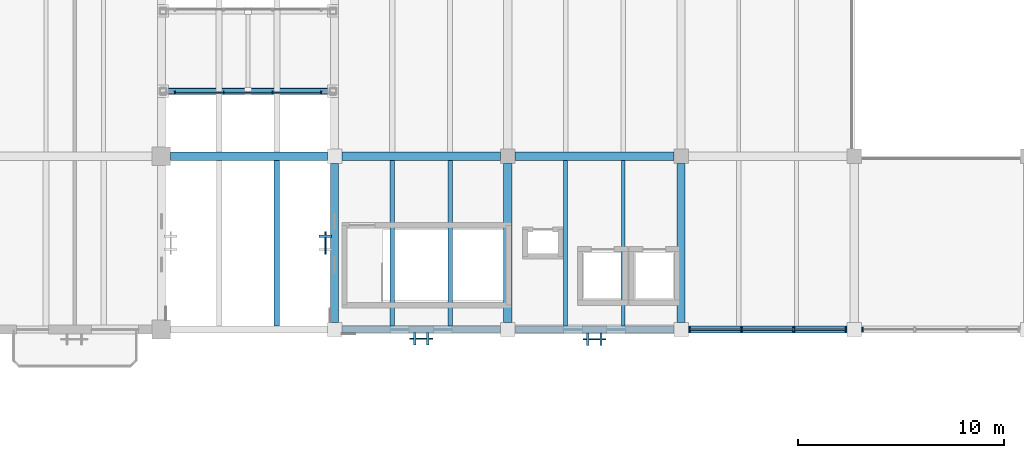
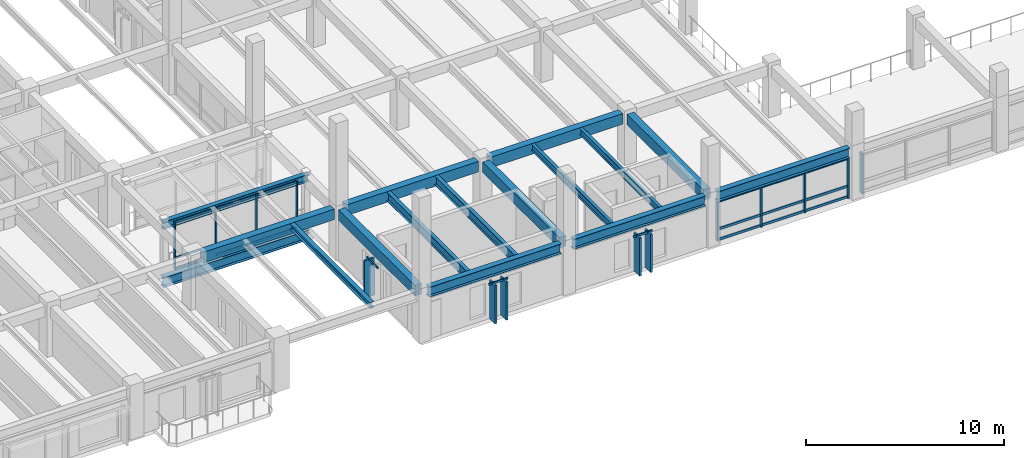
# One storey, part 21 of 123: 35 members, 16 beams, 6 elements without a shape of their own.
"""IFC4 building model written with IfcOpenShell, lengths in metres."""

import ifcopenshell
import ifcopenshell.guid

model = None  # the IFC model being written
_history = None  # IfcOwnerHistory: only IFC2X3 demands one
_inside = {}  # id of a spatial element -> (the spatial element, [elements in it])
_under = {}  # id of a project, library or spatial element -> (it, [spatial elements below it])
_declared = {}  # id of a project -> (the project, [libraries it declares])
_typed = {}  # id of a type object -> (the type object, [elements of that type])
_made_of = {}  # id of a material, layer set ... -> (it, [elements and type objects made of it])


def new_model(schema):
    """Start an empty IFC model of exactly this schema.

    Asked for "IFC4X3", IfcOpenShell would pick the latest addendum, in which some entities
    have other attributes; the version numbers below select the first issue.
    IFC2X3 requires an IfcOwnerHistory on every rooted entity: one is made here for all.
    """
    global model, _history
    if schema == "IFC4X3":
        model = ifcopenshell.file(schema_version=(4, 3, 0, 0))
    else:
        model = ifcopenshell.file(schema=schema)
    _inside.clear()
    _under.clear()
    _declared.clear()
    _typed.clear()
    _made_of.clear()
    _history = None
    if model.schema == "IFC2X3":
        org = make("IfcOrganization", Name="unknown")
        user = make(
            "IfcPersonAndOrganization",
            ThePerson=make("IfcPerson", FamilyName="unknown"),
            TheOrganization=org,
        )
        app = make(
            "IfcApplication",
            ApplicationDeveloper=org,
            Version="unknown",
            ApplicationFullName="unknown",
            ApplicationIdentifier="unknown",
        )
        _history = make(
            "IfcOwnerHistory",
            OwningUser=user,
            OwningApplication=app,
            ChangeAction="ADDED",
            CreationDate=0,
        )
    return model


def make(cls, **values):
    """One entity of the class cls with the attributes given. An attribute that is None is left unset."""
    return model.create_entity(
        cls, **{name: value for name, value in values.items() if value is not None}
    )


def rooted(cls, **values):
    """An entity with a GlobalId (a new one), such as an element, a storey or a relation."""
    return make(cls, GlobalId=ifcopenshell.guid.new(), OwnerHistory=_history, **values)


def si_unit(unit_type, name, prefix=None):
    """IfcSIUnit, for example si_unit("LENGTHUNIT", "METRE", prefix="MILLI")."""
    return make("IfcSIUnit", UnitType=unit_type, Prefix=prefix, Name=name)


def assignment(units):
    """IfcUnitAssignment: the units of a project."""
    return None if units is None else make("IfcUnitAssignment", Units=units)


def point(xyz):
    """IfcCartesianPoint."""
    return None if xyz is None else make("IfcCartesianPoint", Coordinates=xyz)


def direction(xyz):
    """IfcDirection."""
    return None if xyz is None else make("IfcDirection", DirectionRatios=xyz)


def frame(location, z_axis=None, x_axis=None):
    """IfcAxis2Placement3D, a coordinate frame: its origin and axes. An axis left out is left unset."""
    return make(
        "IfcAxis2Placement3D",
        Location=point(location),
        Axis=direction(z_axis),
        RefDirection=direction(x_axis),
    )


def frame_2d(location, x_axis=None):
    """IfcAxis2Placement2D, a coordinate frame in the plane: its origin and x axis."""
    return make(
        "IfcAxis2Placement2D", Location=point(location), RefDirection=direction(x_axis)
    )


def origin():
    """The frame at (0, 0, 0) with its axes left unset."""
    return frame((0.0, 0.0, 0.0))


def origin_2d():
    """The frame at (0, 0) in the plane with its x axis left unset."""
    return frame_2d((0.0, 0.0))


def place(relative_to, where):
    """IfcLocalPlacement: puts the frame where relative to a parent placement (None: the world)."""
    return make(
        "IfcLocalPlacement", PlacementRelTo=relative_to, RelativePlacement=where
    )


def context(
    kind, dimensions, precision=None, world=None, true_north=None, identifier=None
):
    """IfcGeometricRepresentationContext, for example the 3D "Model" context."""
    return make(
        "IfcGeometricRepresentationContext",
        ContextIdentifier=identifier,
        ContextType=kind,
        CoordinateSpaceDimension=dimensions,
        Precision=precision,
        WorldCoordinateSystem=world,
        TrueNorth=true_north,
    )


def subcontext(parent, identifier, kind, view, scale=None):
    """IfcGeometricRepresentationSubContext, for example "Body" below "Model"."""
    return make(
        "IfcGeometricRepresentationSubContext",
        ContextIdentifier=identifier,
        ContextType=kind,
        ParentContext=parent,
        TargetScale=scale,
        TargetView=view,
    )


def project(units=None, contexts=None):
    """IfcProject with its units and contexts."""
    return rooted(
        "IfcProject",
        Name="project",
        RepresentationContexts=contexts,
        UnitsInContext=assignment(units),
    )


def spatial(cls, under=None, at=None, **own):
    """A site, building, storey or space (cls), placed at a placement, below another one or the project."""
    s = rooted(cls, ObjectPlacement=at, **own)
    if under is not None:
        _under.setdefault(under.id(), (under, []))[1].append(s)
    return s


def profile(cls, at=None, kind="AREA", **sizes):
    """A parametric profile (cls). Its sizes go by their IFC names, for example OverallWidth=200.0."""
    return make(cls, ProfileType=kind, Position=at, **sizes)


def rectangle(**sizes):
    """IfcRectangleProfileDef."""
    return profile("IfcRectangleProfileDef", **sizes)


def i_section(**sizes):
    """IfcIShapeProfileDef."""
    return profile("IfcIShapeProfileDef", **sizes)


def extrude(swept, where, along, depth):
    """IfcExtrudedAreaSolid: the profile swept, set in the frame where, extruded along a direction by depth."""
    return make(
        "IfcExtrudedAreaSolid",
        SweptArea=swept,
        Position=where,
        ExtrudedDirection=direction(along),
        Depth=depth,
    )


def shape(context_of_items, identifier, shape_type, items):
    """IfcShapeRepresentation: the items that make up one representation, for example the "Body"."""
    return make(
        "IfcShapeRepresentation",
        ContextOfItems=context_of_items,
        RepresentationIdentifier=identifier,
        RepresentationType=shape_type,
        Items=items,
    )


def material(Name=None, Category=None):
    """IfcMaterial."""
    return make("IfcMaterial", Name=Name, Category=Category)


def material_profile(
    of_material, cross_section, Name=None, Category=None, Priority=None
):
    """IfcMaterialProfile: a cross section and its material."""
    return make(
        "IfcMaterialProfile",
        Name=Name,
        Material=of_material,
        Profile=cross_section,
        Priority=Priority,
        Category=Category,
    )


def profile_set(profiles, Name=None, composite=None):
    """IfcMaterialProfileSet."""
    return make(
        "IfcMaterialProfileSet",
        Name=Name,
        MaterialProfiles=profiles,
        CompositeProfile=composite,
    )


def made_of(thing, what):
    """Note that an element or type object is made of a material, layer set ...; save() writes the relation."""
    if what is not None:
        _made_of.setdefault(what.id(), (what, []))[1].append(thing)
    return thing


def type_object(cls, material=None, **own):
    """A type object (cls), such as IfcWallType, which elements share."""
    return made_of(rooted(cls, **own), material)


def element(
    cls,
    number,
    at=None,
    inside=None,
    cuts=None,
    type_object=None,
    material=None,
    context=None,
    identifier="Body",
    shape_type=None,
    held_by="IfcProductDefinitionShape",
    body=None,
    shapes=None,
    **own,
):
    """One element of the class cls, such as IfcWall. Its Tag is "e" and its number.

    at: its placement. inside: the storey or other place that contains it. cuts: it is an
    opening in that element (IfcRelVoidsElement). A single representation is given by context,
    identifier, shape_type and body (its items); several are given by shapes. held_by: the class
    of the entity that holds the representations. save() writes the other relations.
    """
    e = rooted(cls, Tag="e%d" % number, ObjectPlacement=at, **own)
    if body is not None:
        shapes = [shape(context, identifier, shape_type, body)]
    if shapes is not None:
        e.Representation = make(held_by, Representations=shapes)
    if inside is not None:
        _inside.setdefault(inside.id(), (inside, []))[1].append(e)
    if cuts is not None:
        rooted(
            "IfcRelVoidsElement", RelatingBuildingElement=cuts, RelatedOpeningElement=e
        )
    if type_object is not None:
        _typed.setdefault(type_object.id(), (type_object, []))[1].append(e)
    return made_of(e, material)


def aggregate(whole, parts):
    """IfcRelAggregates: a whole, such as a stair, and the parts it consists of."""
    return rooted("IfcRelAggregates", RelatingObject=whole, RelatedObjects=parts)


def save(model, path):
    """Write the relations noted so far, then the file.

    IfcRelAggregates (storeys below a building ...), IfcRelContainedInSpatialStructure (elements
    in a storey), IfcRelDefinesByType, IfcRelAssociatesMaterial and IfcRelDeclares: one each for
    every whole, place, type object, material and project.
    """
    for whole, parts in _under.values():
        aggregate(whole, parts)
    for where, things in _inside.values():
        rooted(
            "IfcRelContainedInSpatialStructure",
            RelatedElements=things,
            RelatingStructure=where,
        )
    for kind, things in _typed.values():
        rooted("IfcRelDefinesByType", RelatedObjects=things, RelatingType=kind)
    for what, things in _made_of.values():
        rooted("IfcRelAssociatesMaterial", RelatedObjects=things, RelatingMaterial=what)
    for by, libraries in _declared.values():
        rooted("IfcRelDeclares", RelatingContext=by, RelatedDefinitions=libraries)
    model.write(path)


model = new_model("IFC4")

# Units and contexts
model_context = context("Model", 3, precision=1e-05, world=origin(), true_north=direction((0.0, 1.0)))
body_context = subcontext(model_context, "Body", "Model", "MODEL_VIEW")
ifc_project = project(units=[si_unit("LENGTHUNIT", "METRE"), si_unit("AREAUNIT", "SQUARE_METRE"), si_unit("VOLUMEUNIT", "CUBIC_METRE"), si_unit("PLANEANGLEUNIT", "RADIAN"), si_unit("MASSUNIT", "GRAM", prefix="KILO")], contexts=[model_context])

# Site, building, storey
site_placement = place(None, origin())
site = spatial("IfcSite", under=ifc_project, at=site_placement, CompositionType="ELEMENT")
building_placement = place(site_placement, origin())
building = spatial("IfcBuilding", under=site, at=building_placement, Name="Cumbredor Promenade Congress Hotel", CompositionType="ELEMENT")
storey_placement = place(building_placement, frame((0.0, 0.0, 11.760009765625)))
storey = spatial("IfcBuildingStorey", under=building, at=storey_placement, Name="L03", CompositionType="ELEMENT", Elevation=11.760009765625)

# Beams
ifc_material_1 = material(Name="Concrete C40/50", Category="concrete")
ifc_material_profile_1 = material_profile(ifc_material_1, rectangle(XDim=0.39990234375, YDim=0.64990234375, at=origin_2d()), Name="RC BEAM 400x650")
ifc_profile_set_1 = profile_set([ifc_material_profile_1], Name="Concrete C40/50")
beam_type_1 = type_object("IfcBeamType", Name="BM-RC-400x650", PredefinedType="BEAM", material=ifc_profile_set_1)
beam_1_placement = place(storey_placement, frame((84.449951171875, 92.39990234375, 2.794921875), z_axis=(1.0, 0.0, 0.0), x_axis=(0.0, 1.0, 0.0)))
element("IfcBeam", 1, at=beam_1_placement, inside=storey, type_object=beam_type_1, Name="L04 X-Grid Beam 152", PredefinedType="BEAM", context=body_context, shape_type="SweptSolid", body=[
    extrude(rectangle(XDim=0.39990234375, YDim=0.64990234375, at=origin_2d()), origin(), (0.0, 0.0, 1.0), 7.60009765625),
])
for number, where, z_axis, x_axis, name in (
    (2, (92.39990234375, 84.35009765625, 2.794921875), (0.0, 1.0, 0.0), (-1.0, 0.0, 0.0), "L04 Y-Grid Beam 160"),
    (3, (92.75, 92.39990234375, 2.794921875), (1.0, 0.0, 0.0), (0.0, 1.0, 0.0), "L04 X-Grid Beam 161"),
    (4, (100.800048828125, 84.35009765625, 2.794921875), (0.0, 1.0, 0.0), (-1.0, 0.0, 0.0), "L04 Y-Grid Beam 169"),
):
    element("IfcBeam", number, at=place(storey_placement, frame(where, z_axis=z_axis, x_axis=x_axis)), inside=storey, type_object=beam_type_1, Name=name, PredefinedType="BEAM", context=body_context, shape_type="SweptSolid", body=[
        extrude(rectangle(XDim=0.39990234375, YDim=0.64990234375, at=origin_2d()), origin(), (0.0, 0.0, 1.0), 7.699951171875),
    ])
beam_2_placement = place(storey_placement, frame((101.14990234375, 92.39990234375, 2.794921875), z_axis=(1.0, 0.0, 0.0), x_axis=(0.0, 1.0, 0.0)))
element("IfcBeam", 5, at=beam_2_placement, inside=storey, type_object=beam_type_1, Name="L04 X-Grid Beam 170", PredefinedType="BEAM", context=body_context, shape_type="SweptSolid", body=[
    extrude(rectangle(XDim=0.39990234375, YDim=0.64990234375, at=origin_2d()), origin(), (0.0, 0.0, 1.0), 7.7001953125),
])
beam_3_placement = place(storey_placement, frame((109.199951171875, 84.35009765625, 2.794921875), z_axis=(0.0, 1.0, 0.0), x_axis=(-1.0, 0.0, 0.0)))
element("IfcBeam", 6, at=beam_3_placement, inside=storey, type_object=beam_type_1, Name="L04 Y-Grid Beam 178", PredefinedType="BEAM", context=body_context, shape_type="SweptSolid", body=[
    extrude(rectangle(XDim=0.39990234375, YDim=0.64990234375, at=origin_2d()), origin(), (0.0, 0.0, 1.0), 7.699951171875),
])
ifc_material_2 = material(Name="Steel ASTM A992 Grade 50", Category="steel")
ifc_material_profile_2 = material_profile(ifc_material_2, i_section(OverallWidth=0.323974609375, OverallDepth=0.611083984375, WebThickness=0.0126953125, FlangeThickness=0.01904296875, at=origin_2d()), Name="W24X104")
ifc_profile_set_2 = profile_set([ifc_material_profile_2], Name="Steel ASTM A992 Grade 50")
beam_type_2 = type_object("IfcBeamType", Name="BM-W24X104", PredefinedType="BEAM", material=ifc_profile_set_2)
beam_4_placement = place(storey_placement, frame((92.75, 84.0, 2.814453125), z_axis=(1.0, 0.0, 0.0), x_axis=(0.0, 1.0, 0.0)))
element("IfcBeam", 7, at=beam_4_placement, inside=storey, type_object=beam_type_2, Name="L04 X-Grid Beam 159", PredefinedType="BEAM", context=body_context, shape_type="SweptSolid", body=[
    extrude(i_section(OverallWidth=0.323974609375, OverallDepth=0.611083984375, WebThickness=0.0126953125, FlangeThickness=0.01904296875, at=origin_2d()), origin(), (0.0, 0.0, 1.0), 7.699951171875),
])
beam_5_placement = place(storey_placement, frame((101.14990234375, 84.0, 2.814453125), z_axis=(1.0, 0.0, 0.0), x_axis=(0.0, 1.0, 0.0)))
element("IfcBeam", 8, at=beam_5_placement, inside=storey, type_object=beam_type_2, Name="L04 X-Grid Beam 168", PredefinedType="BEAM", context=body_context, shape_type="SweptSolid", body=[
    extrude(i_section(OverallWidth=0.323974609375, OverallDepth=0.611083984375, WebThickness=0.0126953125, FlangeThickness=0.01904296875, at=origin_2d()), origin(), (0.0, 0.0, 1.0), 7.7001953125),
])
beam_6_placement = place(storey_placement, frame((109.550048828125, 84.0, 2.814453125), z_axis=(1.0, 0.0, 0.0), x_axis=(0.0, 1.0, 0.0)))
element("IfcBeam", 9, at=beam_6_placement, inside=storey, type_object=beam_type_2, Name="L04 X-Grid Beam 177", PredefinedType="BEAM", context=body_context, shape_type="SweptSolid", body=[
    extrude(i_section(OverallWidth=0.323974609375, OverallDepth=0.611083984375, WebThickness=0.0126953125, FlangeThickness=0.01904296875, at=origin_2d()), origin(), (0.0, 0.0, 1.0), 7.699951171875),
])
beam_7_placement = place(storey_placement, frame((83.9599609375, 95.550048828125, -0.525390625), z_axis=(1.0, 0.0, 0.0), x_axis=(0.0, 1.0, 0.0)))
element("IfcBeam", 10, at=beam_7_placement, inside=storey, type_object=beam_type_2, Name="L03 North Hotel-to-Forum Glazed Bridge Edge Girder 1", PredefinedType="BEAM", context=body_context, shape_type="SweptSolid", body=[
    extrude(i_section(OverallWidth=0.323974609375, OverallDepth=0.611083984375, WebThickness=0.0126953125, FlangeThickness=0.01904296875, at=origin_2d()), origin(), (0.0, 0.0, 1.0), 8.47998046875),
])

# Curtain wall, members
ifc_material_3 = material(Name="Thermally broken anodized aluminium and low-E glass", Category="aluminium")
curtain_wall_type_1 = type_object("IfcCurtainWallType", Name="Unitised Bridge Glazing Screen CW-05", PredefinedType="NOTDEFINED", material=ifc_material_3)
curtain_wall_1_placement = place(storey_placement, origin())
curtain_wall_1 = element("IfcCurtainWall", 11, at=curtain_wall_1_placement, inside=storey, type_object=curtain_wall_type_1, Name="L03 North Hotel-to-Forum Glazed Bridge South Glazing Screen", PredefinedType="NOTDEFINED")
ifc_material_4 = material(Name="Thermally broken anodized aluminium", Category="aluminium")
ifc_material_profile_3 = material_profile(ifc_material_4, rectangle(XDim=0.06494140625, YDim=0.159912109375, at=origin_2d()), Name="ALU MULLION 65x160")
ifc_profile_set_3 = profile_set([ifc_material_profile_3], Name="Thermally broken anodized aluminium")
member_type_1 = type_object("IfcMemberType", Name="Curtain Wall Mullion ML-01", PredefinedType="MULLION", material=ifc_profile_set_3)
member_1_placement = place(storey_placement, frame((84.659912109375, 95.47998046875, -0.008056640625), z_axis=(0.0, 0.0, 1.0), x_axis=(1.0, 0.0, 0.0)))
member_1 = element("IfcMember", 12, at=member_1_placement, type_object=member_type_1, Name="L03 North Hotel-to-Forum Glazed Bridge South Glazing Screen Mullion 1", PredefinedType="MULLION", context=body_context, shape_type="SweptSolid", body=[
    extrude(rectangle(XDim=0.06494140625, YDim=0.159912109375, at=origin_2d()), origin(), (0.0, 0.0, 1.0), 2.99609375),
])
member_2_placement = place(storey_placement, frame((87.02001953125, 95.47998046875, -0.008056640625), z_axis=(0.0, 0.0, 1.0), x_axis=(1.0, 0.0, 0.0)))
member_2 = element("IfcMember", 13, at=member_2_placement, type_object=member_type_1, Name="L03 North Hotel-to-Forum Glazed Bridge South Glazing Screen Mullion 2", PredefinedType="MULLION", context=body_context, shape_type="SweptSolid", body=[
    extrude(rectangle(XDim=0.06494140625, YDim=0.159912109375, at=origin_2d()), origin(), (0.0, 0.0, 1.0), 2.99609375),
])
member_3_placement = place(storey_placement, frame((89.3798828125, 95.47998046875, -0.008056640625), z_axis=(0.0, 0.0, 1.0), x_axis=(1.0, 0.0, 0.0)))
member_3 = element("IfcMember", 14, at=member_3_placement, type_object=member_type_1, Name="L03 North Hotel-to-Forum Glazed Bridge South Glazing Screen Mullion 3", PredefinedType="MULLION", context=body_context, shape_type="SweptSolid", body=[
    extrude(rectangle(XDim=0.06494140625, YDim=0.159912109375, at=origin_2d()), origin(), (0.0, 0.0, 1.0), 2.99609375),
])
member_4_placement = place(storey_placement, frame((91.739990234375, 95.47998046875, -0.008056640625), z_axis=(0.0, 0.0, 1.0), x_axis=(1.0, 0.0, 0.0)))
member_4 = element("IfcMember", 15, at=member_4_placement, type_object=member_type_1, Name="L03 North Hotel-to-Forum Glazed Bridge South Glazing Screen Mullion 4", PredefinedType="MULLION", context=body_context, shape_type="SweptSolid", body=[
    extrude(rectangle(XDim=0.06494140625, YDim=0.159912109375, at=origin_2d()), origin(), (0.0, 0.0, 1.0), 2.99609375),
])

curtain_wall_type_2 = type_object("IfcCurtainWallType", Name="Unitised Forum Curtain Wall CW-02", PredefinedType="NOTDEFINED", material=ifc_material_3)
curtain_wall_2_placement = place(storey_placement, origin())
curtain_wall_2 = element("IfcCurtainWall", 16, at=curtain_wall_2_placement, inside=storey, type_object=curtain_wall_type_2, Name="L03 Pre-Function and Breakout Meeting Forum South Curtain Wall 3", PredefinedType="NOTDEFINED")
ifc_material_profile_4 = material_profile(ifc_material_4, rectangle(XDim=0.074951171875, YDim=0.199951171875, at=origin_2d()), Name="ALU MULLION 75x200")
ifc_profile_set_4 = profile_set([ifc_material_profile_4], Name="Thermally broken anodized aluminium")
member_type_2 = type_object("IfcMemberType", Name="Curtain Wall Mullion ML-02", PredefinedType="MULLION", material=ifc_profile_set_4)
member_5_placement = place(storey_placement, frame((109.60498046875, 84.0, -0.008056640625), z_axis=(0.0, 0.0, 1.0), x_axis=(1.0, 0.0, 0.0)))
member_5 = element("IfcMember", 17, at=member_5_placement, type_object=member_type_2, Name="L03 Pre-Function and Breakout Meeting Forum South Curtain Wall 3 Mullion 1", PredefinedType="MULLION", context=body_context, shape_type="SweptSolid", body=[
    extrude(rectangle(XDim=0.074951171875, YDim=0.199951171875, at=origin_2d()), origin(), (0.0, 0.0, 1.0), 2.510009765625),
])
member_6_placement = place(storey_placement, frame((112.135009765625, 84.0, -0.008056640625), z_axis=(0.0, 0.0, 1.0), x_axis=(1.0, 0.0, 0.0)))
member_6 = element("IfcMember", 18, at=member_6_placement, type_object=member_type_2, Name="L03 Pre-Function and Breakout Meeting Forum South Curtain Wall 3 Mullion 2", PredefinedType="MULLION", context=body_context, shape_type="SweptSolid", body=[
    extrude(rectangle(XDim=0.074951171875, YDim=0.199951171875, at=origin_2d()), origin(), (0.0, 0.0, 1.0), 2.510009765625),
])
member_7_placement = place(storey_placement, frame((114.6650390625, 84.0, -0.008056640625), z_axis=(0.0, 0.0, 1.0), x_axis=(1.0, 0.0, 0.0)))
member_7 = element("IfcMember", 19, at=member_7_placement, type_object=member_type_2, Name="L03 Pre-Function and Breakout Meeting Forum South Curtain Wall 3 Mullion 3", PredefinedType="MULLION", context=body_context, shape_type="SweptSolid", body=[
    extrude(rectangle(XDim=0.074951171875, YDim=0.199951171875, at=origin_2d()), origin(), (0.0, 0.0, 1.0), 2.510009765625),
])
member_8_placement = place(storey_placement, frame((117.195068359375, 84.0, -0.008056640625), z_axis=(0.0, 0.0, 1.0), x_axis=(1.0, 0.0, 0.0)))
member_8 = element("IfcMember", 20, at=member_8_placement, type_object=member_type_2, Name="L03 Pre-Function and Breakout Meeting Forum South Curtain Wall 3 Mullion 4", PredefinedType="MULLION", context=body_context, shape_type="SweptSolid", body=[
    extrude(rectangle(XDim=0.074951171875, YDim=0.199951171875, at=origin_2d()), origin(), (0.0, 0.0, 1.0), 2.510009765625),
])

# Curtain wall, member
curtain_wall_3_placement = place(storey_placement, origin())
curtain_wall_3 = element("IfcCurtainWall", 21, at=curtain_wall_3_placement, inside=storey, type_object=curtain_wall_type_2, Name="L03 Pre-Function and Breakout Meeting Forum South Curtain Wall 4", PredefinedType="NOTDEFINED")
ifc_material_profile_5 = material_profile(ifc_material_4, rectangle(XDim=0.080078125, YDim=0.239990234375, at=origin_2d()), Name="ALU MULLION 80x240")
ifc_profile_set_5 = profile_set([ifc_material_profile_5], Name="Thermally broken anodized aluminium")
member_type_3 = type_object("IfcMemberType", Name="Curtain Wall Mullion ML-03", PredefinedType="MULLION", material=ifc_profile_set_5)
member_9_placement = place(storey_placement, frame((118.0048828125, 84.0, -0.008056640625), z_axis=(0.0, 0.0, 1.0), x_axis=(1.0, 0.0, 0.0)))
member_9 = element("IfcMember", 22, at=member_9_placement, type_object=member_type_3, Name="L03 Pre-Function and Breakout Meeting Forum South Curtain Wall 4 Mullion 1", PredefinedType="MULLION", context=body_context, shape_type="SweptSolid", body=[
    extrude(rectangle(XDim=0.080078125, YDim=0.239990234375, at=origin_2d()), origin(), (0.0, 0.0, 1.0), 2.510009765625),
])
aggregate(curtain_wall_3, [member_9])

curtain_wall_type_3 = type_object("IfcCurtainWallType", Name="Solar Brise-Soleil Screen Assembly CW-07", PredefinedType="NOTDEFINED", material=ifc_material_3)
curtain_wall_4_placement = place(storey_placement, origin())
curtain_wall_4 = element("IfcCurtainWall", 23, at=curtain_wall_4_placement, inside=storey, type_object=curtain_wall_type_3, Name="L03 Pier Brise-Soleil Screen 0559", PredefinedType="NOTDEFINED")
ifc_material_profile_6 = material_profile(ifc_material_4, rectangle(XDim=0.06494140625, YDim=0.1298828125, at=origin_2d()), Name="ALU TRANSOM 65x130")
ifc_profile_set_6 = profile_set([ifc_material_profile_6], Name="Thermally broken anodized aluminium")
member_type_4 = type_object("IfcMemberType", Name="Curtain Wall Transom TR-01", PredefinedType="USERDEFINED", material=ifc_profile_set_6)
member_10_placement = place(storey_placement, frame((96.050048828125, 83.550048828125, 2.333984375), z_axis=(1.0, 0.0, 0.0), x_axis=(0.0, 1.0, 0.0)))
member_10 = element("IfcMember", 24, at=member_10_placement, type_object=member_type_4, Name="L03 Pier Brise-Soleil Header 0561", ObjectType="TRANSOM", PredefinedType="USERDEFINED", context=body_context, shape_type="SweptSolid", body=[
    extrude(rectangle(XDim=0.06494140625, YDim=0.1298828125, at=origin_2d()), origin(), (0.0, 0.0, 1.0), 1.099853515625),
])

curtain_wall_5_placement = place(storey_placement, origin())
curtain_wall_5 = element("IfcCurtainWall", 25, at=curtain_wall_5_placement, inside=storey, type_object=curtain_wall_type_3, Name="L03 Pier Brise-Soleil Screen 0562", PredefinedType="NOTDEFINED")
member_11_placement = place(storey_placement, frame((104.449951171875, 83.527587890625, 2.333984375), z_axis=(1.0, 0.0, 0.0), x_axis=(0.0, 1.0, 0.0)))
member_11 = element("IfcMember", 26, at=member_11_placement, type_object=member_type_4, Name="L03 Pier Brise-Soleil Header 0564", ObjectType="TRANSOM", PredefinedType="USERDEFINED", context=body_context, shape_type="SweptSolid", body=[
    extrude(rectangle(XDim=0.06494140625, YDim=0.1298828125, at=origin_2d()), origin(), (0.0, 0.0, 1.0), 1.10009765625),
])

curtain_wall_6_placement = place(storey_placement, origin())
curtain_wall_6 = element("IfcCurtainWall", 27, at=curtain_wall_6_placement, inside=storey, type_object=curtain_wall_type_3, Name="L03 Pier Brise-Soleil Screen 0601", PredefinedType="NOTDEFINED")
member_12_placement = place(storey_placement, frame((91.949951171875, 87.64990234375, 2.294921875), z_axis=(0.0, 1.0, 0.0), x_axis=(-1.0, 0.0, 0.0)))
member_12 = element("IfcMember", 28, at=member_12_placement, type_object=member_type_4, Name="L03 Pier Brise-Soleil Header 0603", ObjectType="TRANSOM", PredefinedType="USERDEFINED", context=body_context, shape_type="SweptSolid", body=[
    extrude(rectangle(XDim=0.06494140625, YDim=0.1298828125, at=origin_2d()), origin(), (0.0, 0.0, 1.0), 1.10009765625),
])

# Member
member_13_placement = place(storey_placement, frame((84.6923828125, 95.47998046875, 0.06005859375), z_axis=(1.0, 0.0, 0.0), x_axis=(0.0, 1.0, 0.0)))
member_13 = element("IfcMember", 29, at=member_13_placement, type_object=member_type_4, Name="L03 North Hotel-to-Forum Glazed Bridge South Glazing Screen Transom 1.1", ObjectType="TRANSOM", PredefinedType="USERDEFINED", context=body_context, shape_type="SweptSolid", body=[
    extrude(rectangle(XDim=0.06494140625, YDim=0.1298828125, at=origin_2d()), origin(), (0.0, 0.0, 1.0), 2.295166015625),
])

member_14_placement = place(storey_placement, frame((84.6923828125, 95.47998046875, 0.719970703125), z_axis=(1.0, 0.0, 0.0), x_axis=(0.0, 1.0, 0.0)))
member_14 = element("IfcMember", 30, at=member_14_placement, type_object=member_type_4, Name="L03 North Hotel-to-Forum Glazed Bridge South Glazing Screen Transom 1.2", ObjectType="TRANSOM", PredefinedType="USERDEFINED", context=body_context, shape_type="SweptSolid", body=[
    extrude(rectangle(XDim=0.06494140625, YDim=0.1298828125, at=origin_2d()), origin(), (0.0, 0.0, 1.0), 2.295166015625),
])

member_15_placement = place(storey_placement, frame((84.6923828125, 95.47998046875, 2.919921875), z_axis=(1.0, 0.0, 0.0), x_axis=(0.0, 1.0, 0.0)))
member_15 = element("IfcMember", 31, at=member_15_placement, type_object=member_type_4, Name="L03 North Hotel-to-Forum Glazed Bridge South Glazing Screen Transom 1.3", ObjectType="TRANSOM", PredefinedType="USERDEFINED", context=body_context, shape_type="SweptSolid", body=[
    extrude(rectangle(XDim=0.06494140625, YDim=0.1298828125, at=origin_2d()), origin(), (0.0, 0.0, 1.0), 2.295166015625),
])

member_16_placement = place(storey_placement, frame((87.052490234375, 95.47998046875, 0.06005859375), z_axis=(1.0, 0.0, 0.0), x_axis=(0.0, 1.0, 0.0)))
member_16 = element("IfcMember", 32, at=member_16_placement, type_object=member_type_4, Name="L03 North Hotel-to-Forum Glazed Bridge South Glazing Screen Transom 2.1", ObjectType="TRANSOM", PredefinedType="USERDEFINED", context=body_context, shape_type="SweptSolid", body=[
    extrude(rectangle(XDim=0.06494140625, YDim=0.1298828125, at=origin_2d()), origin(), (0.0, 0.0, 1.0), 2.294921875),
])

member_17_placement = place(storey_placement, frame((87.052490234375, 95.47998046875, 0.719970703125), z_axis=(1.0, 0.0, 0.0), x_axis=(0.0, 1.0, 0.0)))
member_17 = element("IfcMember", 33, at=member_17_placement, type_object=member_type_4, Name="L03 North Hotel-to-Forum Glazed Bridge South Glazing Screen Transom 2.2", ObjectType="TRANSOM", PredefinedType="USERDEFINED", context=body_context, shape_type="SweptSolid", body=[
    extrude(rectangle(XDim=0.06494140625, YDim=0.1298828125, at=origin_2d()), origin(), (0.0, 0.0, 1.0), 2.294921875),
])

member_18_placement = place(storey_placement, frame((87.052490234375, 95.47998046875, 2.919921875), z_axis=(1.0, 0.0, 0.0), x_axis=(0.0, 1.0, 0.0)))
member_18 = element("IfcMember", 34, at=member_18_placement, type_object=member_type_4, Name="L03 North Hotel-to-Forum Glazed Bridge South Glazing Screen Transom 2.3", ObjectType="TRANSOM", PredefinedType="USERDEFINED", context=body_context, shape_type="SweptSolid", body=[
    extrude(rectangle(XDim=0.06494140625, YDim=0.1298828125, at=origin_2d()), origin(), (0.0, 0.0, 1.0), 2.294921875),
])

member_19_placement = place(storey_placement, frame((89.41259765625, 95.47998046875, 0.06005859375), z_axis=(1.0, 0.0, 0.0), x_axis=(0.0, 1.0, 0.0)))
member_19 = element("IfcMember", 35, at=member_19_placement, type_object=member_type_4, Name="L03 North Hotel-to-Forum Glazed Bridge South Glazing Screen Transom 3.1", ObjectType="TRANSOM", PredefinedType="USERDEFINED", context=body_context, shape_type="SweptSolid", body=[
    extrude(rectangle(XDim=0.06494140625, YDim=0.1298828125, at=origin_2d()), origin(), (0.0, 0.0, 1.0), 2.294921875),
])

member_20_placement = place(storey_placement, frame((89.41259765625, 95.47998046875, 0.719970703125), z_axis=(1.0, 0.0, 0.0), x_axis=(0.0, 1.0, 0.0)))
member_20 = element("IfcMember", 36, at=member_20_placement, type_object=member_type_4, Name="L03 North Hotel-to-Forum Glazed Bridge South Glazing Screen Transom 3.2", ObjectType="TRANSOM", PredefinedType="USERDEFINED", context=body_context, shape_type="SweptSolid", body=[
    extrude(rectangle(XDim=0.06494140625, YDim=0.1298828125, at=origin_2d()), origin(), (0.0, 0.0, 1.0), 2.294921875),
])

member_21_placement = place(storey_placement, frame((89.41259765625, 95.47998046875, 2.919921875), z_axis=(1.0, 0.0, 0.0), x_axis=(0.0, 1.0, 0.0)))
member_21 = element("IfcMember", 37, at=member_21_placement, type_object=member_type_4, Name="L03 North Hotel-to-Forum Glazed Bridge South Glazing Screen Transom 3.3", ObjectType="TRANSOM", PredefinedType="USERDEFINED", context=body_context, shape_type="SweptSolid", body=[
    extrude(rectangle(XDim=0.06494140625, YDim=0.1298828125, at=origin_2d()), origin(), (0.0, 0.0, 1.0), 2.294921875),
])

aggregate(curtain_wall_1, [member_1, member_2, member_3, member_4, member_13, member_14, member_15, member_16, member_17, member_18, member_19, member_20, member_21])

ifc_material_profile_7 = material_profile(ifc_material_4, rectangle(XDim=0.074951171875, YDim=0.14990234375, at=origin_2d()), Name="ALU TRANSOM 75x150")
ifc_profile_set_7 = profile_set([ifc_material_profile_7], Name="Thermally broken anodized aluminium")
member_type_5 = type_object("IfcMemberType", Name="Curtain Wall Transom TR-02", PredefinedType="USERDEFINED", material=ifc_profile_set_7)
member_22_placement = place(storey_placement, frame((109.642578125, 84.0, 0.070068359375), z_axis=(1.0, 0.0, 0.0), x_axis=(0.0, 1.0, 0.0)))
member_22 = element("IfcMember", 38, at=member_22_placement, type_object=member_type_5, Name="L03 Pre-Function and Breakout Meeting Forum South Curtain Wall 3 Transom 1.1", ObjectType="TRANSOM", PredefinedType="USERDEFINED", context=body_context, shape_type="SweptSolid", body=[
    extrude(rectangle(XDim=0.074951171875, YDim=0.14990234375, at=origin_2d()), origin(), (0.0, 0.0, 1.0), 2.454833984375),
])

member_23_placement = place(storey_placement, frame((109.642578125, 84.0, 0.719970703125), z_axis=(1.0, 0.0, 0.0), x_axis=(0.0, 1.0, 0.0)))
member_23 = element("IfcMember", 39, at=member_23_placement, type_object=member_type_5, Name="L03 Pre-Function and Breakout Meeting Forum South Curtain Wall 3 Transom 1.2", ObjectType="TRANSOM", PredefinedType="USERDEFINED", context=body_context, shape_type="SweptSolid", body=[
    extrude(rectangle(XDim=0.074951171875, YDim=0.14990234375, at=origin_2d()), origin(), (0.0, 0.0, 1.0), 2.454833984375),
])

member_24_placement = place(storey_placement, frame((109.642578125, 84.0, 2.419921875), z_axis=(1.0, 0.0, 0.0), x_axis=(0.0, 1.0, 0.0)))
member_24 = element("IfcMember", 40, at=member_24_placement, type_object=member_type_5, Name="L03 Pre-Function and Breakout Meeting Forum South Curtain Wall 3 Transom 1.3", ObjectType="TRANSOM", PredefinedType="USERDEFINED", context=body_context, shape_type="SweptSolid", body=[
    extrude(rectangle(XDim=0.074951171875, YDim=0.14990234375, at=origin_2d()), origin(), (0.0, 0.0, 1.0), 2.454833984375),
])

member_25_placement = place(storey_placement, frame((112.172607421875, 84.0, 0.070068359375), z_axis=(1.0, 0.0, 0.0), x_axis=(0.0, 1.0, 0.0)))
member_25 = element("IfcMember", 41, at=member_25_placement, type_object=member_type_5, Name="L03 Pre-Function and Breakout Meeting Forum South Curtain Wall 3 Transom 2.1", ObjectType="TRANSOM", PredefinedType="USERDEFINED", context=body_context, shape_type="SweptSolid", body=[
    extrude(rectangle(XDim=0.074951171875, YDim=0.14990234375, at=origin_2d()), origin(), (0.0, 0.0, 1.0), 2.454833984375),
])

member_26_placement = place(storey_placement, frame((112.172607421875, 84.0, 0.719970703125), z_axis=(1.0, 0.0, 0.0), x_axis=(0.0, 1.0, 0.0)))
member_26 = element("IfcMember", 42, at=member_26_placement, type_object=member_type_5, Name="L03 Pre-Function and Breakout Meeting Forum South Curtain Wall 3 Transom 2.2", ObjectType="TRANSOM", PredefinedType="USERDEFINED", context=body_context, shape_type="SweptSolid", body=[
    extrude(rectangle(XDim=0.074951171875, YDim=0.14990234375, at=origin_2d()), origin(), (0.0, 0.0, 1.0), 2.454833984375),
])

member_27_placement = place(storey_placement, frame((112.172607421875, 84.0, 2.419921875), z_axis=(1.0, 0.0, 0.0), x_axis=(0.0, 1.0, 0.0)))
member_27 = element("IfcMember", 43, at=member_27_placement, type_object=member_type_5, Name="L03 Pre-Function and Breakout Meeting Forum South Curtain Wall 3 Transom 2.3", ObjectType="TRANSOM", PredefinedType="USERDEFINED", context=body_context, shape_type="SweptSolid", body=[
    extrude(rectangle(XDim=0.074951171875, YDim=0.14990234375, at=origin_2d()), origin(), (0.0, 0.0, 1.0), 2.454833984375),
])

member_28_placement = place(storey_placement, frame((114.702392578125, 84.0, 0.070068359375), z_axis=(1.0, 0.0, 0.0), x_axis=(0.0, 1.0, 0.0)))
member_28 = element("IfcMember", 44, at=member_28_placement, type_object=member_type_5, Name="L03 Pre-Function and Breakout Meeting Forum South Curtain Wall 3 Transom 3.1", ObjectType="TRANSOM", PredefinedType="USERDEFINED", context=body_context, shape_type="SweptSolid", body=[
    extrude(rectangle(XDim=0.074951171875, YDim=0.14990234375, at=origin_2d()), origin(), (0.0, 0.0, 1.0), 2.455078125),
])

member_29_placement = place(storey_placement, frame((114.702392578125, 84.0, 0.719970703125), z_axis=(1.0, 0.0, 0.0), x_axis=(0.0, 1.0, 0.0)))
member_29 = element("IfcMember", 45, at=member_29_placement, type_object=member_type_5, Name="L03 Pre-Function and Breakout Meeting Forum South Curtain Wall 3 Transom 3.2", ObjectType="TRANSOM", PredefinedType="USERDEFINED", context=body_context, shape_type="SweptSolid", body=[
    extrude(rectangle(XDim=0.074951171875, YDim=0.14990234375, at=origin_2d()), origin(), (0.0, 0.0, 1.0), 2.455078125),
])

member_30_placement = place(storey_placement, frame((114.702392578125, 84.0, 2.419921875), z_axis=(1.0, 0.0, 0.0), x_axis=(0.0, 1.0, 0.0)))
member_30 = element("IfcMember", 46, at=member_30_placement, type_object=member_type_5, Name="L03 Pre-Function and Breakout Meeting Forum South Curtain Wall 3 Transom 3.3", ObjectType="TRANSOM", PredefinedType="USERDEFINED", context=body_context, shape_type="SweptSolid", body=[
    extrude(rectangle(XDim=0.074951171875, YDim=0.14990234375, at=origin_2d()), origin(), (0.0, 0.0, 1.0), 2.455078125),
])

aggregate(curtain_wall_2, [member_5, member_6, member_7, member_8, member_22, member_23, member_24, member_25, member_26, member_27, member_28, member_29, member_30])

# Beams
ifc_material_profile_8 = material_profile(ifc_material_2, i_section(OverallWidth=0.2548828125, OverallDepth=0.35693359375, WebThickness=0.010498046875, FlangeThickness=0.018310546875, at=origin_2d()), Name="W14X68")
ifc_profile_set_8 = profile_set([ifc_material_profile_8], Name="Steel ASTM A992 Grade 50")
beam_type_3 = type_object("IfcBeamType", Name="JST-W14X68", PredefinedType="JOIST", material=ifc_profile_set_8)
beam_8_placement = place(storey_placement, frame((89.60009765625, 84.162109375, 2.94140625), z_axis=(0.0, 1.0, 0.0), x_axis=(-1.0, 0.0, 0.0)))
element("IfcBeam", 47, at=beam_8_placement, inside=storey, type_object=beam_type_3, Name="L04 Secondary Floor Joist 0097", PredefinedType="JOIST", context=body_context, shape_type="SweptSolid", body=[
    extrude(i_section(OverallWidth=0.2548828125, OverallDepth=0.35693359375, WebThickness=0.010498046875, FlangeThickness=0.018310546875, at=origin_2d()), origin(), (0.0, 0.0, 1.0), 8.037841796875),
])
ifc_material_profile_9 = material_profile(ifc_material_2, i_section(OverallWidth=0.180908203125, OverallDepth=0.4169921875, WebThickness=0.010986328125, FlangeThickness=0.018310546875, at=origin_2d()), Name="W16X57")
ifc_profile_set_9 = profile_set([ifc_material_profile_9], Name="Steel ASTM A992 Grade 50")
beam_type_4 = type_object("IfcBeamType", Name="JST-W16X57", PredefinedType="JOIST", material=ifc_profile_set_9)
for number, where, z_axis, x_axis, name in (
    (48, (103.60009765625, 84.162109375, 2.911376953125), (0.0, 1.0, 0.0), (-1.0, 0.0, 0.0), "L04 Secondary Floor Joist 0112"),
    (49, (106.39990234375, 84.162109375, 2.911376953125), (0.0, 1.0, 0.0), (-1.0, 0.0, 0.0), "L04 Secondary Floor Joist 0113"),
):
    element("IfcBeam", number, at=place(storey_placement, frame(where, z_axis=z_axis, x_axis=x_axis)), inside=storey, type_object=beam_type_4, Name=name, PredefinedType="JOIST", context=body_context, shape_type="SweptSolid", body=[
        extrude(i_section(OverallWidth=0.180908203125, OverallDepth=0.4169921875, WebThickness=0.010986328125, FlangeThickness=0.018310546875, at=origin_2d()), origin(), (0.0, 0.0, 1.0), 8.037841796875),
    ])
ifc_material_profile_10 = material_profile(ifc_material_2, i_section(OverallWidth=0.280029296875, OverallDepth=0.462890625, WebThickness=0.0107421875, FlangeThickness=0.017333984375, at=origin_2d()), Name="W18X76")
ifc_profile_set_10 = profile_set([ifc_material_profile_10], Name="Steel ASTM A992 Grade 50")
beam_type_5 = type_object("IfcBeamType", Name="JST-W18X76", PredefinedType="JOIST", material=ifc_profile_set_10)
beam_9_placement = place(storey_placement, frame((83.9599609375, 95.550048828125, 2.96337890625), z_axis=(1.0, 0.0, 0.0), x_axis=(0.0, 1.0, 0.0)))
element("IfcBeam", 50, at=beam_9_placement, inside=storey, type_object=beam_type_5, Name="North Hotel-to-Forum Glazed Bridge Roof Edge Beam 1", PredefinedType="JOIST", context=body_context, shape_type="SweptSolid", body=[
    extrude(i_section(OverallWidth=0.280029296875, OverallDepth=0.462890625, WebThickness=0.0107421875, FlangeThickness=0.017333984375, at=origin_2d()), origin(), (0.0, 0.0, 1.0), 8.47998046875),
])
ifc_material_profile_11 = material_profile(ifc_material_2, i_section(OverallWidth=0.214111328125, OverallDepth=0.549072265625, WebThickness=0.0146484375, FlangeThickness=0.023681640625, at=origin_2d()), Name="W21X93")
ifc_profile_set_11 = profile_set([ifc_material_profile_11], Name="Steel ASTM A992 Grade 50")
beam_type_6 = type_object("IfcBeamType", Name="JST-W21X93", PredefinedType="JOIST", material=ifc_profile_set_11)
for number, where, z_axis, x_axis, name in (
    (51, (95.199951171875, 84.162109375, 2.845458984375), (0.0, 1.0, 0.0), (-1.0, 0.0, 0.0), "L04 Secondary Floor Joist 0104"),
    (52, (98.0, 84.162109375, 2.845458984375), (0.0, 1.0, 0.0), (-1.0, 0.0, 0.0), "L04 Secondary Floor Joist 0105"),
):
    element("IfcBeam", number, at=place(storey_placement, frame(where, z_axis=z_axis, x_axis=x_axis)), inside=storey, type_object=beam_type_6, Name=name, PredefinedType="JOIST", context=body_context, shape_type="SweptSolid", body=[
        extrude(i_section(OverallWidth=0.214111328125, OverallDepth=0.549072265625, WebThickness=0.0146484375, FlangeThickness=0.023681640625, at=origin_2d()), origin(), (0.0, 0.0, 1.0), 8.037841796875),
    ])

# Member
ifc_material_profile_12 = material_profile(ifc_material_4, rectangle(XDim=0.110107421875, YDim=0.6201171875, at=origin_2d()), Name="ARCH FIN 110x620")
ifc_profile_set_12 = profile_set([ifc_material_profile_12], Name="Thermally broken anodized aluminium")
member_type_6 = type_object("IfcMemberType", Name="Vertical Bronze Brise-Soleil Fin BSF-02 110x620", PredefinedType="USERDEFINED", material=ifc_profile_set_12)
member_31_placement = place(storey_placement, frame((96.280029296875, 83.550048828125, 0.02001953125), z_axis=(0.0, 0.0, 1.0), x_axis=(1.0, 0.0, 0.0)))
member_31 = element("IfcMember", 53, at=member_31_placement, type_object=member_type_6, Name="L03 Pier Brise-Soleil Fin 0560", ObjectType="SOLAR FIN", PredefinedType="USERDEFINED", context=body_context, shape_type="SweptSolid", body=[
    extrude(rectangle(XDim=0.110107421875, YDim=0.6201171875, at=origin_2d()), origin(), (0.0, 0.0, 1.0), 2.35400390625),
])

member_32_placement = place(storey_placement, frame((96.919921875, 83.550048828125, 0.02001953125), z_axis=(0.0, 0.0, 1.0), x_axis=(1.0, 0.0, 0.0)))
member_32 = element("IfcMember", 54, at=member_32_placement, type_object=member_type_6, Name="L03 Pier Brise-Soleil Fin 0561", ObjectType="SOLAR FIN", PredefinedType="USERDEFINED", context=body_context, shape_type="SweptSolid", body=[
    extrude(rectangle(XDim=0.110107421875, YDim=0.6201171875, at=origin_2d()), origin(), (0.0, 0.0, 1.0), 2.35400390625),
])

aggregate(curtain_wall_4, [member_31, member_32, member_10])

member_33_placement = place(storey_placement, frame((104.679931640625, 83.527587890625, 0.02001953125), z_axis=(0.0, 0.0, 1.0), x_axis=(1.0, 0.0, 0.0)))
member_33 = element("IfcMember", 55, at=member_33_placement, type_object=member_type_6, Name="L03 Pier Brise-Soleil Fin 0563", ObjectType="SOLAR FIN", PredefinedType="USERDEFINED", context=body_context, shape_type="SweptSolid", body=[
    extrude(rectangle(XDim=0.110107421875, YDim=0.6201171875, at=origin_2d()), origin(), (0.0, 0.0, 1.0), 2.35400390625),
])

member_34_placement = place(storey_placement, frame((105.320068359375, 83.527587890625, 0.02001953125), z_axis=(0.0, 0.0, 1.0), x_axis=(1.0, 0.0, 0.0)))
member_34 = element("IfcMember", 56, at=member_34_placement, type_object=member_type_6, Name="L03 Pier Brise-Soleil Fin 0564", ObjectType="SOLAR FIN", PredefinedType="USERDEFINED", context=body_context, shape_type="SweptSolid", body=[
    extrude(rectangle(XDim=0.110107421875, YDim=0.6201171875, at=origin_2d()), origin(), (0.0, 0.0, 1.0), 2.35400390625),
])

aggregate(curtain_wall_5, [member_33, member_34, member_11])

member_35_placement = place(storey_placement, frame((91.949951171875, 88.52001953125, 0.02001953125), z_axis=(0.0, 0.0, 1.0), x_axis=(0.0, 1.0, 0.0)))
member_35 = element("IfcMember", 57, at=member_35_placement, type_object=member_type_6, Name="L03 Pier Brise-Soleil Fin 0603", ObjectType="SOLAR FIN", PredefinedType="USERDEFINED", context=body_context, shape_type="SweptSolid", body=[
    extrude(rectangle(XDim=0.110107421875, YDim=0.6201171875, at=origin_2d()), origin(), (0.0, 0.0, 1.0), 2.31494140625),
])

aggregate(curtain_wall_6, [member_35, member_12])

save(model, "model.ifc")
